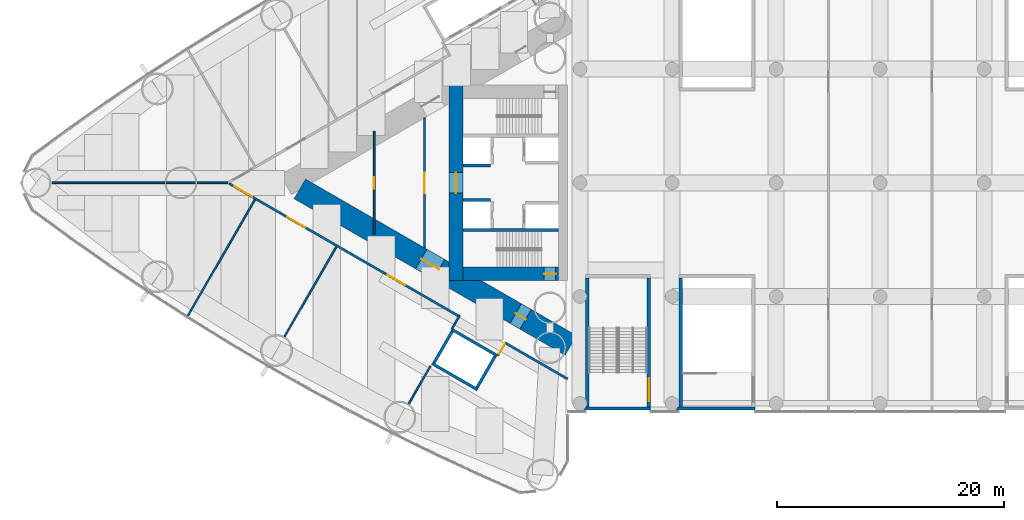
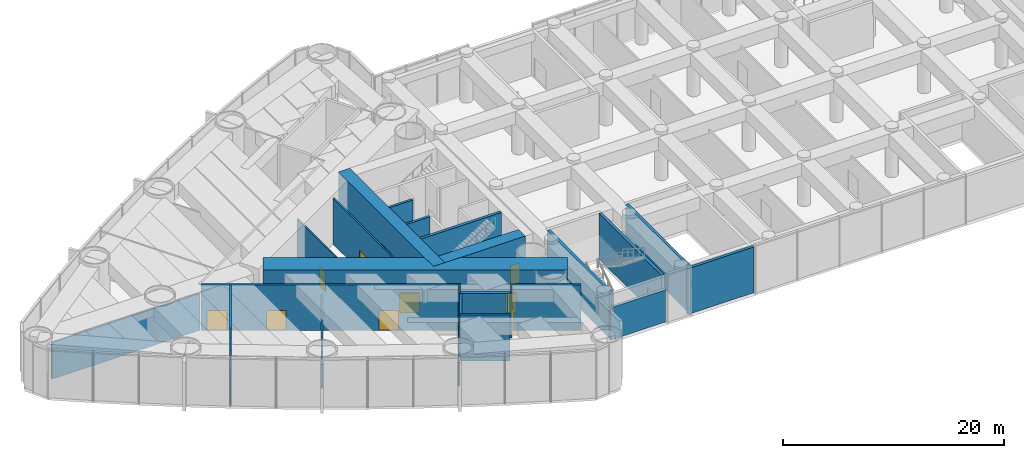
# One storey, part 14 of 20: 25 walls, 11 doors, 11 openings.
"""IFC4 building model written with IfcOpenShell, lengths in metres."""

from ifc_helpers import new_model, si_unit, direction, frame, frame_2d, origin, place, context, subcontext, project, spatial, rectangle, extrude, material, layer, layer_set, type_object, element, fill, save


model = new_model("IFC4")

# Units and contexts
model_context = context("Model", 3, precision=1e-05, world=origin(), true_north=direction((0.0, 1.0)))
body_context = subcontext(model_context, "Body", "Model", "MODEL_VIEW")
ifc_project = project(units=[si_unit("LENGTHUNIT", "METRE"), si_unit("AREAUNIT", "SQUARE_METRE"), si_unit("VOLUMEUNIT", "CUBIC_METRE"), si_unit("PLANEANGLEUNIT", "RADIAN"), si_unit("MASSUNIT", "GRAM", prefix="KILO")], contexts=[model_context])

# Site, building, storey
site_placement = place(None, origin())
site = spatial("IfcSite", under=ifc_project, at=site_placement, CompositionType="ELEMENT")
building_placement = place(site_placement, origin())
building = spatial("IfcBuilding", under=site, at=building_placement, Name="Lancet Gate Hotel", CompositionType="ELEMENT")
storey_placement = place(building_placement, frame((0.0, 0.0, 7.199951171875)))
storey = spatial("IfcBuildingStorey", under=building, at=storey_placement, Name="L01", CompositionType="ELEMENT", Elevation=7.199951171875)

# Wall, openings, doors
ifc_material_1 = material(Name="Concrete C70/85", Category="concrete")
ifc_layer_1 = layer(ifc_material_1, 2.0)
ifc_layer_set_1 = layer_set([ifc_layer_1], Name="Buttress wall 2000")
wall_type_1 = type_object("IfcWallType", Name="Buttress wall 2000", PredefinedType="SHEAR", material=ifc_layer_set_1)
wall_1_placement = place(storey_placement, frame((-27.199951171875, -14.300048828125, 0.0), z_axis=(0.0, 0.0, 1.0), x_axis=(-0.866024044937, 0.500002353585, 0.0)))
wall_1 = element("IfcWall", 1, at=wall_1_placement, inside=storey, type_object=wall_type_1, Name="T1 buttress wall N L01", PredefinedType="SHEAR", context=body_context, shape_type="SweptSolid", body=[
    extrude(rectangle(XDim=27.533447265625, YDim=2.0, at=frame_2d((13.7666015625, 0.0))), origin(), (0.0, 0.0, 1.0), 5.400146484375),
])
opening_1_placement = place(wall_1_placement, frame((4.60009765625, 0.0, 0.0)))
opening_1 = element("IfcOpeningElement", 2, at=opening_1_placement, cuts=wall_1, Name="Opening T1-L01-LN", PredefinedType="OPENING", context=body_context, shape_type="SweptSolid", body=[
    extrude(rectangle(XDim=1.0, YDim=2.199951171875, at=frame_2d((0.5, 1.10009765625))), frame((0.0, 1.010009765625, 0.0), z_axis=(0.0, -1.0, 0.0), x_axis=(1.0, 0.0, 0.0)), (0.0, 0.0, 1.0), 2.02001953125),
])
opening_2_placement = place(wall_1_placement, frame((13.39453125, 0.0, 0.0)))
opening_2 = element("IfcOpeningElement", 3, at=opening_2_placement, cuts=wall_1, Name="Opening T1-L01-LHN", PredefinedType="OPENING", context=body_context, shape_type="SweptSolid", body=[
    extrude(rectangle(XDim=1.800048828125, YDim=2.199951171875, at=frame_2d((0.89990234375, 1.10009765625))), frame((0.0, 1.010009765625, 0.0), z_axis=(0.0, -1.0, 0.0), x_axis=(1.0, 0.0, 0.0)), (0.0, 0.0, 1.0), 2.02001953125),
])
ifc_material_2 = material(Name="Timber door set", Category="wood")
door_type_1 = type_object("IfcDoorType", Name="Lobby double door 1800", OperationType="DOUBLE_DOOR_SINGLE_SWING", PredefinedType="DOOR", material=ifc_material_2)
door_1_placement = place(opening_2_placement, origin())
door_1 = element("IfcDoor", 4, at=door_1_placement, inside=storey, type_object=door_type_1, Name="T1-L01-LHN", OperationType="DOUBLE_DOOR_SINGLE_SWING", OverallHeight=2.199951171875, OverallWidth=1.800048828125, PredefinedType="DOOR", context=body_context, shape_type="SweptSolid", body=[
    extrude(rectangle(XDim=1.800048828125, YDim=2.199951171875, at=frame_2d((0.89990234375, 1.10009765625))), frame((0.0, 0.02490234375, 0.0), z_axis=(0.0, -1.0, 0.0), x_axis=(1.0, 0.0, 0.0)), (0.0, 0.0, 1.0), 0.050048828125),
])
fill(opening_2, door_1)
ifc_material_3 = material(Name="Timber door set", Category="wood")
door_type_2 = type_object("IfcDoorType", Name="Stair lobby door 1000", OperationType="SINGLE_SWING_LEFT", PredefinedType="DOOR", material=ifc_material_3)
door_2_placement = place(opening_1_placement, origin())
door_2 = element("IfcDoor", 5, at=door_2_placement, inside=storey, type_object=door_type_2, Name="T1-L01-LN", OperationType="SINGLE_SWING_LEFT", OverallHeight=2.199951171875, OverallWidth=1.0, PredefinedType="DOOR", context=body_context, shape_type="SweptSolid", body=[
    extrude(rectangle(XDim=1.0, YDim=2.199951171875, at=frame_2d((0.5, 1.10009765625))), frame((0.0, 0.02490234375, 0.0), z_axis=(0.0, -1.0, 0.0), x_axis=(1.0, 0.0, 0.0)), (0.0, 0.0, 1.0), 0.050048828125),
])
fill(opening_1, door_2)

# Wall, opening, door
ifc_material_4 = material(Name="Concrete C70/85", Category="concrete")
ifc_layer_2 = layer(ifc_material_4, 1.199951171875)
ifc_layer_set_2 = layer_set([ifc_layer_2], Name="Core wall 1200")
wall_type_2 = type_object("IfcWallType", Name="Core wall 1200", PredefinedType="SHEAR", material=ifc_layer_set_2)
wall_2_placement = place(storey_placement, frame((-37.300048828125, 8.60009765625, 0.0), z_axis=(0.0, 0.0, 1.0), x_axis=(0.0, -1.0, 0.0)))
wall_2 = element("IfcWall", 6, at=wall_2_placement, inside=storey, type_object=wall_type_2, Name="T1 core wall back L01", PredefinedType="SHEAR", context=body_context, shape_type="SweptSolid", body=[
    extrude(rectangle(XDim=17.2001953125, YDim=1.199951171875, at=frame_2d((8.60009765625, 0.0))), origin(), (0.0, 0.0, 1.0), 5.400146484375),
])
opening_3_placement = place(wall_2_placement, frame((7.699951171875, 0.0, 0.0)))
opening_3 = element("IfcOpeningElement", 7, at=opening_3_placement, cuts=wall_2, Name="Opening T1-L01-LL", PredefinedType="OPENING", context=body_context, shape_type="SweptSolid", body=[
    extrude(rectangle(XDim=1.800048828125, YDim=2.199951171875, at=frame_2d((0.89990234375, 1.10009765625))), frame((0.0, 0.60986328125, 0.0), z_axis=(0.0, -1.0, 0.0), x_axis=(1.0, 0.0, 0.0)), (0.0, 0.0, 1.0), 1.219970703125),
])
door_3_placement = place(opening_3_placement, origin())
door_3 = element("IfcDoor", 8, at=door_3_placement, inside=storey, type_object=door_type_1, Name="T1-L01-LL", OperationType="DOUBLE_DOOR_SINGLE_SWING", OverallHeight=2.199951171875, OverallWidth=1.800048828125, PredefinedType="DOOR", context=body_context, shape_type="SweptSolid", body=[
    extrude(rectangle(XDim=1.800048828125, YDim=2.199951171875, at=frame_2d((0.89990234375, 1.10009765625))), frame((0.0, 0.02490234375, 0.0), z_axis=(0.0, -1.0, 0.0), x_axis=(1.0, 0.0, 0.0)), (0.0, 0.0, 1.0), 0.050048828125),
])
fill(opening_3, door_3)

wall_3_placement = place(storey_placement, frame((-28.300048828125, -8.0, 0.0), z_axis=(0.0, 0.0, 1.0), x_axis=(-1.0, 0.0, 0.0)))
wall_3 = element("IfcWall", 9, at=wall_3_placement, inside=storey, type_object=wall_type_2, Name="T1 core wall side-N L01", PredefinedType="SHEAR", context=body_context, shape_type="SweptSolid", body=[
    extrude(rectangle(XDim=8.39990234375, YDim=1.199951171875, at=frame_2d((4.199951171875, 0.0))), origin(), (0.0, 0.0, 1.0), 5.400146484375),
])
opening_4_placement = place(wall_3_placement, frame((0.25, 0.0, 0.0)))
opening_4 = element("IfcOpeningElement", 10, at=opening_4_placement, cuts=wall_3, Name="Opening T1-L01-ST2", PredefinedType="OPENING", context=body_context, shape_type="SweptSolid", body=[
    extrude(rectangle(XDim=1.0, YDim=2.199951171875, at=frame_2d((0.5, 1.10009765625))), frame((0.0, 0.60986328125, 0.0), z_axis=(0.0, -1.0, 0.0), x_axis=(1.0, 0.0, 0.0)), (0.0, 0.0, 1.0), 1.219970703125),
])
ifc_material_5 = material(Name="Timber door set", Category="wood")
door_type_3 = type_object("IfcDoorType", Name="Stair door 1000", OperationType="SINGLE_SWING_RIGHT", PredefinedType="DOOR", material=ifc_material_5)
door_4_placement = place(opening_4_placement, origin())
door_4 = element("IfcDoor", 11, at=door_4_placement, inside=storey, type_object=door_type_3, Name="T1-L01-ST2", OperationType="SINGLE_SWING_RIGHT", OverallHeight=2.199951171875, OverallWidth=1.0, PredefinedType="DOOR", context=body_context, shape_type="SweptSolid", body=[
    extrude(rectangle(XDim=1.0, YDim=2.199951171875, at=frame_2d((0.5, 1.10009765625))), frame((0.0, 0.02490234375, 0.0), z_axis=(0.0, -1.0, 0.0), x_axis=(1.0, 0.0, 0.0)), (0.0, 0.0, 1.0), 0.050048828125),
])
fill(opening_4, door_4)

# Wall
ifc_material_6 = material(Name="Gypsum board partition")
ifc_layer_3 = layer(ifc_material_6, 0.199951171875)
ifc_layer_set_3 = layer_set([ifc_layer_3], Name="Corridor wall 200")
wall_type_3 = type_object("IfcWallType", Name="Corridor wall 200", PredefinedType="PARTITIONING", material=ifc_layer_set_3)
wall_4_placement = place(storey_placement, frame((-27.5, -17.244384765625, 0.0), z_axis=(0.0, 0.0, 1.0), x_axis=(-0.866027347857, 0.499996632752, 0.0)))
element("IfcWall", 12, at=wall_4_placement, inside=storey, type_object=wall_type_3, Name="T1 corridor wall 200 L01", PredefinedType="PARTITIONING", context=body_context, shape_type="SweptSolid", body=[
    extrude(rectangle(XDim=6.26904296875, YDim=0.199951171875, at=frame_2d((3.134521484375, 0.0))), origin(), (0.0, 0.0, 1.0), 5.050048828125),
])

# Wall, openings, doors
wall_5_placement = place(storey_placement, frame((-37.1201171875, -11.690185546875, 0.0), z_axis=(0.0, 0.0, 1.0), x_axis=(-0.866028803602, 0.499994111297, 0.0)))
wall_5 = element("IfcWall", 13, at=wall_5_placement, inside=storey, type_object=wall_type_3, Name="T1 corridor wall 200 L01", PredefinedType="PARTITIONING", context=body_context, shape_type="SweptSolid", body=[
    extrude(rectangle(XDim=23.260498046875, YDim=0.199951171875, at=frame_2d((11.63037109375, 0.0))), origin(), (0.0, 0.0, 1.0), 5.050048828125),
])
opening_5_placement = place(wall_5_placement, frame((20.909423828125, 0.0, 0.0)))
opening_5 = element("IfcOpeningElement", 14, at=opening_5_placement, cuts=wall_5, Name="Opening T1-L01-P105", PredefinedType="OPENING", context=body_context, shape_type="SweptSolid", body=[
    extrude(rectangle(XDim=1.800048828125, YDim=2.199951171875, at=frame_2d((0.89990234375, 1.10009765625))), frame((0.0, 0.10986328125, 0.0), z_axis=(0.0, -1.0, 0.0), x_axis=(1.0, 0.0, 0.0)), (0.0, 0.0, 1.0), 0.219970703125),
])
opening_6_placement = place(wall_5_placement, frame((15.54443359375, 0.0, 0.0)))
opening_6 = element("IfcOpeningElement", 15, at=opening_6_placement, cuts=wall_5, Name="Opening T1-L01-P106", PredefinedType="OPENING", context=body_context, shape_type="SweptSolid", body=[
    extrude(rectangle(XDim=1.800048828125, YDim=2.199951171875, at=frame_2d((0.89990234375, 1.10009765625))), frame((0.0, 0.10986328125, 0.0), z_axis=(0.0, -1.0, 0.0), x_axis=(1.0, 0.0, 0.0)), (0.0, 0.0, 1.0), 0.219970703125),
])
opening_7_placement = place(wall_5_placement, frame((5.364990234375, 0.0, 0.0)))
opening_7 = element("IfcOpeningElement", 16, at=opening_7_placement, cuts=wall_5, Name="Opening T1-L01-P107", PredefinedType="OPENING", context=body_context, shape_type="SweptSolid", body=[
    extrude(rectangle(XDim=1.800048828125, YDim=2.199951171875, at=frame_2d((0.89990234375, 1.10009765625))), frame((0.0, 0.10986328125, 0.0), z_axis=(0.0, -1.0, 0.0), x_axis=(1.0, 0.0, 0.0)), (0.0, 0.0, 1.0), 0.219970703125),
])
ifc_material_7 = material(Name="Timber door set", Category="wood")
door_type_4 = type_object("IfcDoorType", Name="Double door 1800", OperationType="DOUBLE_DOOR_SINGLE_SWING", PredefinedType="DOOR", material=ifc_material_7)
door_5_placement = place(opening_5_placement, origin())
door_5 = element("IfcDoor", 17, at=door_5_placement, inside=storey, type_object=door_type_4, Name="T1-L01-P105", OperationType="DOUBLE_DOOR_SINGLE_SWING", OverallHeight=2.199951171875, OverallWidth=1.800048828125, PredefinedType="DOOR", context=body_context, shape_type="SweptSolid", body=[
    extrude(rectangle(XDim=1.800048828125, YDim=2.199951171875, at=frame_2d((0.89990234375, 1.10009765625))), frame((0.0, 0.02490234375, 0.0), z_axis=(0.0, -1.0, 0.0), x_axis=(1.0, 0.0, 0.0)), (0.0, 0.0, 1.0), 0.050048828125),
])
fill(opening_5, door_5)
door_6_placement = place(opening_6_placement, origin())
door_6 = element("IfcDoor", 18, at=door_6_placement, inside=storey, type_object=door_type_4, Name="T1-L01-P106", OperationType="DOUBLE_DOOR_SINGLE_SWING", OverallHeight=2.199951171875, OverallWidth=1.800048828125, PredefinedType="DOOR", context=body_context, shape_type="SweptSolid", body=[
    extrude(rectangle(XDim=1.800048828125, YDim=2.199951171875, at=frame_2d((0.89990234375, 1.10009765625))), frame((0.0, 0.02490234375, 0.0), z_axis=(0.0, -1.0, 0.0), x_axis=(1.0, 0.0, 0.0)), (0.0, 0.0, 1.0), 0.050048828125),
])
fill(opening_6, door_6)
door_7_placement = place(opening_7_placement, origin())
door_7 = element("IfcDoor", 19, at=door_7_placement, inside=storey, type_object=door_type_4, Name="T1-L01-P107", OperationType="DOUBLE_DOOR_SINGLE_SWING", OverallHeight=2.199951171875, OverallWidth=1.800048828125, PredefinedType="DOOR", context=body_context, shape_type="SweptSolid", body=[
    extrude(rectangle(XDim=1.800048828125, YDim=2.199951171875, at=frame_2d((0.89990234375, 1.10009765625))), frame((0.0, 0.02490234375, 0.0), z_axis=(0.0, -1.0, 0.0), x_axis=(1.0, 0.0, 0.0)), (0.0, 0.0, 1.0), 0.050048828125),
])
fill(opening_7, door_7)

# Walls
ifc_material_8 = material(Name="Gypsum board partition")
ifc_layer_4 = layer(ifc_material_8, 0.25)
ifc_layer_set_4 = layer_set([ifc_layer_4], Name="Lift shaft partition 250")
wall_type_4 = type_object("IfcWallType", Name="Lift shaft partition 250", PredefinedType="PARTITIONING", material=ifc_layer_set_4)
wall_6_placement = place(storey_placement, frame((-33.695556640625, -15.197265625, 0.0), z_axis=(0.0, 0.0, 1.0), x_axis=(-0.865976953817, 0.500083908417, 0.0)))
element("IfcWall", 20, at=wall_6_placement, inside=storey, type_object=wall_type_4, Name="T1 lift shaft wall EX L01", PredefinedType="PARTITIONING", context=body_context, shape_type="SweptSolid", body=[
    extrude(rectangle(XDim=4.599365234375, YDim=0.25, at=frame_2d((2.2998046875, 0.0))), origin(), (0.0, 0.0, 1.0), 5.050048828125),
])
wall_7_placement = place(storey_placement, frame((-35.42041015625, -18.185791015625, 0.0), z_axis=(0.0, 0.0, 1.0), x_axis=(-0.865990227814, 0.50006092162, 0.0)))
element("IfcWall", 21, at=wall_7_placement, inside=storey, type_object=wall_type_4, Name="T1 lift shaft wall EX L01", PredefinedType="PARTITIONING", context=body_context, shape_type="SweptSolid", body=[
    extrude(rectangle(XDim=4.599609375, YDim=0.25, at=frame_2d((2.2998046875, 0.0))), origin(), (0.0, 0.0, 1.0), 5.050048828125),
])
wall_8_placement = place(storey_placement, frame((-33.8662109375, -15.242919921875, 0.0), z_axis=(0.0, 0.0, 1.0), x_axis=(-0.499929347863, -0.866066190972, 0.0)))
element("IfcWall", 22, at=wall_8_placement, inside=storey, type_object=wall_type_4, Name="T1 lift shaft wall EX L01", PredefinedType="PARTITIONING", context=body_context, shape_type="SweptSolid", body=[
    extrude(rectangle(XDim=3.20068359375, YDim=0.25, at=frame_2d((1.600341796875, 0.0))), origin(), (0.0, 0.0, 1.0), 5.050048828125),
])
wall_9_placement = place(storey_placement, frame((-37.6328125, -13.068115234375, 0.0), z_axis=(0.0, 0.0, 1.0), x_axis=(-0.499872130319, -0.866099216793, 0.0)))
element("IfcWall", 23, at=wall_9_placement, inside=storey, type_object=wall_type_4, Name="T1 lift shaft wall EX L01", PredefinedType="PARTITIONING", context=body_context, shape_type="SweptSolid", body=[
    extrude(rectangle(XDim=3.200439453125, YDim=0.25, at=frame_2d((1.60009765625, 0.0))), origin(), (0.0, 0.0, 1.0), 5.050048828125),
])
ifc_material_9 = material(Name="Concrete C50/60", Category="concrete")
ifc_layer_5 = layer(ifc_material_9, 0.25)
ifc_layer_set_5 = layer_set([ifc_layer_5], Name="Lift shaft wall 250")
wall_type_5 = type_object("IfcWallType", Name="Lift shaft wall 250", PredefinedType="SHEAR", material=ifc_layer_set_5)
for number, where, z_axis, x_axis, name in (
    (24, (-34.25, 1.52490234375, 0.0), (0.0, 0.0, 1.0), (-1.0, 0.0, 0.0), "T1 core wall pass2-S L01"),
    (25, (-34.25, -1.52490234375, 0.0), (0.0, 0.0, 1.0), (-1.0, 0.0, 0.0), "T1 core wall pass2-N L01"),
):
    element("IfcWall", number, at=place(storey_placement, frame(where, z_axis=z_axis, x_axis=x_axis)), inside=storey, type_object=wall_type_5, Name=name, PredefinedType="SHEAR", context=body_context, shape_type="SweptSolid", body=[
        extrude(rectangle(XDim=2.449951171875, YDim=0.25, at=frame_2d((1.22509765625, 0.0))), origin(), (0.0, 0.0, 1.0), 5.400146484375),
    ])
ifc_material_10 = material(Name="Gypsum board partition")
ifc_layer_6 = layer(ifc_material_10, 0.14990234375)
ifc_layer_set_6 = layer_set([ifc_layer_6], Name="Party wall 150")
wall_type_6 = type_object("IfcWallType", Name="Party wall 150", PredefinedType="PARTITIONING", material=ifc_layer_set_6)
wall_10_placement = place(storey_placement, frame((-47.826904296875, -5.624267578125, 0.0), z_axis=(0.0, 0.0, 1.0), x_axis=(-0.499995404498, -0.866028056982, 0.0)))
element("IfcWall", 26, at=wall_10_placement, inside=storey, type_object=wall_type_6, Name="T1 party wall 150 L01", PredefinedType="PARTITIONING", context=body_context, shape_type="SweptSolid", body=[
    extrude(rectangle(XDim=9.1103515625, YDim=0.14990234375, at=frame_2d((4.55517578125, 0.0))), origin(), (0.0, 0.0, 1.0), 4.050048828125),
])
wall_11_placement = place(storey_placement, frame((-54.99609375, -1.485107421875, 0.0), z_axis=(0.0, 0.0, 1.0), x_axis=(-0.500002871521, -0.866023745905, 0.0)))
element("IfcWall", 27, at=wall_11_placement, inside=storey, type_object=wall_type_6, Name="T1 party wall 150 L01", PredefinedType="PARTITIONING", context=body_context, shape_type="SweptSolid", body=[
    extrude(rectangle(XDim=11.7568359375, YDim=0.14990234375, at=frame_2d((5.87841796875, 0.0))), origin(), (0.0, 0.0, 1.0), 5.050048828125),
])
wall_12_placement = place(storey_placement, frame((-57.3681640625, 0.0, 0.0), z_axis=(0.0, 0.0, 1.0), x_axis=(-1.0, 0.0, 0.0)))
element("IfcWall", 28, at=wall_12_placement, inside=storey, type_object=wall_type_6, Name="T1 party wall 150 L01", PredefinedType="PARTITIONING", context=body_context, shape_type="SweptSolid", body=[
    extrude(rectangle(XDim=15.447021484375, YDim=0.14990234375, at=frame_2d((7.7236328125, 0.0))), origin(), (0.0, 0.0, 1.0), 4.050048828125),
])
wall_13_placement = place(storey_placement, frame((-39.55078125, -16.118408203125, 0.0), z_axis=(0.0, 0.0, 1.0), x_axis=(-0.499986503906, -0.866033195618, 0.0)))
element("IfcWall", 29, at=wall_13_placement, inside=storey, type_object=wall_type_6, Name="T1 party wall 150 L01", PredefinedType="PARTITIONING", context=body_context, shape_type="SweptSolid", body=[
    extrude(rectangle(XDim=3.81494140625, YDim=0.14990234375, at=frame_2d((1.907470703125, 0.0))), origin(), (0.0, 0.0, 1.0), 5.050048828125),
])
ifc_material_11 = material(Name="Dense concrete blockwork", Category="masonry")
ifc_layer_7 = layer(ifc_material_11, 0.300048828125)
ifc_layer_set_7 = layer_set([ifc_layer_7], Name="Podium stair enclosure wall 300")
wall_type_7 = type_object("IfcWallType", Name="Podium stair enclosure wall 300", PredefinedType="SOLIDWALL", material=ifc_layer_set_7)
wall_14_placement = place(storey_placement, frame((-11.0, -19.85009765625, 0.0), z_axis=(0.0, 0.0, 1.0), x_axis=(-1.0, 0.0, 0.0)))
element("IfcWall", 30, at=wall_14_placement, inside=storey, type_object=wall_type_7, Name="Podium stair PS3 encl wall outer L01", PredefinedType="SOLIDWALL", context=body_context, shape_type="SweptSolid", body=[
    extrude(rectangle(XDim=6.903076171875, YDim=0.300048828125, at=frame_2d((3.45166015625, 0.0))), origin(), (0.0, 0.0, 1.0), 5.050048828125),
])
wall_15_placement = place(storey_placement, frame((-17.550048828125, -8.3798828125, 0.0), z_axis=(0.0, 0.0, 1.0), x_axis=(0.0, -1.0, 0.0)))
element("IfcWall", 31, at=wall_15_placement, inside=storey, type_object=wall_type_7, Name="Podium stair PS3 encl wall far L01", PredefinedType="SOLIDWALL", context=body_context, shape_type="SweptSolid", body=[
    extrude(rectangle(XDim=11.320068359375, YDim=0.300048828125, at=frame_2d((5.66015625, 0.0))), origin(), (0.0, 0.0, 1.0), 5.050048828125),
])
wall_16_placement = place(storey_placement, frame((-20.199951171875, -19.85009765625, 0.0), z_axis=(0.0, 0.0, 1.0), x_axis=(-1.0, 0.0, 0.0)))
element("IfcWall", 32, at=wall_16_placement, inside=storey, type_object=wall_type_7, Name="Podium stair PS6 encl wall outer L01", PredefinedType="SOLIDWALL", context=body_context, shape_type="SweptSolid", body=[
    extrude(rectangle(XDim=5.80322265625, YDim=0.300048828125, at=frame_2d((2.901611328125, 0.0))), origin(), (0.0, 0.0, 1.0), 3.550048828125),
])

# Wall, opening, door
wall_17_placement = place(storey_placement, frame((-20.35009765625, -8.3798828125, 0.0), z_axis=(0.0, 0.0, 1.0), x_axis=(0.0, -1.0, 0.0)))
wall_17 = element("IfcWall", 33, at=wall_17_placement, inside=storey, type_object=wall_type_7, Name="Podium stair PS6 encl wall near L01", PredefinedType="SOLIDWALL", context=body_context, shape_type="SweptSolid", body=[
    extrude(rectangle(XDim=11.320068359375, YDim=0.300048828125, at=frame_2d((5.66015625, 0.0))), origin(), (0.0, 0.0, 1.0), 5.050048828125),
])
opening_8_placement = place(wall_17_placement, frame((8.820068359375, 0.0, 0.0)))
opening_8 = element("IfcOpeningElement", 34, at=opening_8_placement, cuts=wall_17, Name="Opening POD-L01-PS6", PredefinedType="OPENING", context=body_context, shape_type="SweptSolid", body=[
    extrude(rectangle(XDim=2.0, YDim=2.199951171875, at=frame_2d((1.0, 1.10009765625))), frame((0.0, 0.159912109375, 0.0), z_axis=(0.0, -1.0, 0.0), x_axis=(1.0, 0.0, 0.0)), (0.0, 0.0, 1.0), 0.320068359375),
])
ifc_material_12 = material(Name="Timber door set", Category="wood")
door_type_5 = type_object("IfcDoorType", Name="Stair double door 2000", OperationType="DOUBLE_DOOR_SINGLE_SWING", PredefinedType="DOOR", material=ifc_material_12)
door_8_placement = place(opening_8_placement, origin())
door_8 = element("IfcDoor", 35, at=door_8_placement, inside=storey, type_object=door_type_5, Name="POD-L01-PS6", OperationType="DOUBLE_DOOR_SINGLE_SWING", OverallHeight=2.199951171875, OverallWidth=2.0, PredefinedType="DOOR", context=body_context, shape_type="SweptSolid", body=[
    extrude(rectangle(XDim=2.0, YDim=2.199951171875, at=frame_2d((1.0, 1.10009765625))), frame((0.0, 0.02490234375, 0.0), z_axis=(0.0, -1.0, 0.0), x_axis=(1.0, 0.0, 0.0)), (0.0, 0.0, 1.0), 0.050048828125),
])
fill(opening_8, door_8)

# Walls
wall_18_placement = place(storey_placement, frame((-25.75, -8.3798828125, 0.0), z_axis=(0.0, 0.0, 1.0), x_axis=(0.0, -1.0, 0.0)))
element("IfcWall", 36, at=wall_18_placement, inside=storey, type_object=wall_type_7, Name="Podium stair PS6 encl wall far L01", PredefinedType="SOLIDWALL", context=body_context, shape_type="SweptSolid", body=[
    extrude(rectangle(XDim=11.320068359375, YDim=0.300048828125, at=frame_2d((5.66015625, 0.0))), origin(), (0.0, 0.0, 1.0), 5.050048828125),
])
ifc_material_13 = material(Name="Gypsum board partition")
ifc_layer_8 = layer(ifc_material_13, 0.14990234375)
ifc_layer_set_8 = layer_set([ifc_layer_8], Name="Service room wall 150")
wall_type_8 = type_object("IfcWallType", Name="Service room wall 150", PredefinedType="PARTITIONING", material=ifc_layer_set_8)
wall_19_placement = place(storey_placement, frame((-36.9755859375, -11.658203125, 0.0), z_axis=(0.0, 0.0, 1.0), x_axis=(-0.50008355685, -0.86597715684, 0.0)))
element("IfcWall", 37, at=wall_19_placement, inside=storey, type_object=wall_type_8, Name="T1 service room wall 150 L01", PredefinedType="PARTITIONING", context=body_context, shape_type="SweptSolid", body=[
    extrude(rectangle(XDim=1.404541015625, YDim=0.14990234375, at=frame_2d((0.7021484375, 0.0))), origin(), (0.0, 0.0, 1.0), 5.050048828125),
])

# Wall, opening, door
wall_20_placement = place(storey_placement, frame((-33.62060546875, -15.217529296875, 0.0), z_axis=(0.0, 0.0, 1.0), x_axis=(0.518424923641, 0.855123148177, 0.0)))
wall_20 = element("IfcWall", 38, at=wall_20_placement, inside=storey, type_object=wall_type_8, Name="T1 service room wall 150 L01", PredefinedType="PARTITIONING", context=body_context, shape_type="SweptSolid", body=[
    extrude(rectangle(XDim=1.4052734375, YDim=0.14990234375, at=frame_2d((0.70263671875, 0.0))), origin(), (0.0, 0.0, 1.0), 5.050048828125),
])
opening_9_placement = place(wall_20_placement, frame((0.20263671875, 0.0, 0.0)))
opening_9 = element("IfcOpeningElement", 39, at=opening_9_placement, cuts=wall_20, Name="Opening T1-L01-P108", PredefinedType="OPENING", context=body_context, shape_type="SweptSolid", body=[
    extrude(rectangle(XDim=1.0, YDim=2.199951171875, at=frame_2d((0.5, 1.10009765625))), frame((0.0, 0.0849609375, 0.0), z_axis=(0.0, -1.0, 0.0), x_axis=(1.0, 0.0, 0.0)), (0.0, 0.0, 1.0), 0.169921875),
])
ifc_material_14 = material(Name="Timber door set", Category="wood")
door_type_6 = type_object("IfcDoorType", Name="Service door 1000", OperationType="SINGLE_SWING_LEFT", PredefinedType="DOOR", material=ifc_material_14)
door_9_placement = place(opening_9_placement, origin())
door_9 = element("IfcDoor", 40, at=door_9_placement, inside=storey, type_object=door_type_6, Name="T1-L01-P108", OperationType="SINGLE_SWING_LEFT", OverallHeight=2.199951171875, OverallWidth=1.0, PredefinedType="DOOR", context=body_context, shape_type="SweptSolid", body=[
    extrude(rectangle(XDim=1.0, YDim=2.199951171875, at=frame_2d((0.5, 1.10009765625))), frame((0.0, 0.02490234375, 0.0), z_axis=(0.0, -1.0, 0.0), x_axis=(1.0, 0.0, 0.0)), (0.0, 0.0, 1.0), 0.050048828125),
])
fill(opening_9, door_9)

wall_21_placement = place(storey_placement, frame((-40.074951171875, 5.7119140625, 0.0), z_axis=(0.0, 0.0, 1.0), x_axis=(0.0, -1.0, 0.0)))
wall_21 = element("IfcWall", 41, at=wall_21_placement, inside=storey, type_object=wall_type_8, Name="T1 service room wall 150 L01", PredefinedType="PARTITIONING", context=body_context, shape_type="SweptSolid", body=[
    extrude(rectangle(XDim=11.423828125, YDim=0.14990234375, at=frame_2d((5.7119140625, 0.0))), origin(), (0.0, 0.0, 1.0), 5.050048828125),
])
opening_10_placement = place(wall_21_placement, frame((4.811767578125, 0.0, 0.0)))
opening_10 = element("IfcOpeningElement", 42, at=opening_10_placement, cuts=wall_21, Name="Opening T1-L01-LH", PredefinedType="OPENING", context=body_context, shape_type="SweptSolid", body=[
    extrude(rectangle(XDim=1.800048828125, YDim=2.199951171875, at=frame_2d((0.89990234375, 1.10009765625))), frame((0.0, 0.0849609375, 0.0), z_axis=(0.0, -1.0, 0.0), x_axis=(1.0, 0.0, 0.0)), (0.0, 0.0, 1.0), 0.169921875),
])
door_10_placement = place(opening_10_placement, origin())
door_10 = element("IfcDoor", 43, at=door_10_placement, inside=storey, type_object=door_type_1, Name="T1-L01-LH", OperationType="DOUBLE_DOOR_SINGLE_SWING", OverallHeight=2.199951171875, OverallWidth=1.800048828125, PredefinedType="DOOR", context=body_context, shape_type="SweptSolid", body=[
    extrude(rectangle(XDim=1.800048828125, YDim=2.199951171875, at=frame_2d((0.89990234375, 1.10009765625))), frame((0.0, 0.02490234375, 0.0), z_axis=(0.0, -1.0, 0.0), x_axis=(1.0, 0.0, 0.0)), (0.0, 0.0, 1.0), 0.050048828125),
])
fill(opening_10, door_10)

wall_22_placement = place(storey_placement, frame((-44.5, 4.542724609375, 0.0), z_axis=(0.0, 0.0, 1.0), x_axis=(0.0, -1.0, 0.0)))
wall_22 = element("IfcWall", 44, at=wall_22_placement, inside=storey, type_object=wall_type_8, Name="T1 service room wall 150 L01", PredefinedType="PARTITIONING", context=body_context, shape_type="SweptSolid", body=[
    extrude(rectangle(XDim=9.08544921875, YDim=0.14990234375, at=frame_2d((4.542724609375, 0.0))), origin(), (0.0, 0.0, 1.0), 5.050048828125),
])
opening_11_placement = place(wall_22_placement, frame((4.042724609375, 0.0, 0.0)))
opening_11 = element("IfcOpeningElement", 45, at=opening_11_placement, cuts=wall_22, Name="Opening T1-L01-SV", PredefinedType="OPENING", context=body_context, shape_type="SweptSolid", body=[
    extrude(rectangle(XDim=1.0, YDim=2.199951171875, at=frame_2d((0.5, 1.10009765625))), frame((0.0, 0.0849609375, 0.0), z_axis=(0.0, -1.0, 0.0), x_axis=(1.0, 0.0, 0.0)), (0.0, 0.0, 1.0), 0.169921875),
])
door_11_placement = place(opening_11_placement, origin())
door_11 = element("IfcDoor", 46, at=door_11_placement, inside=storey, type_object=door_type_6, Name="T1-L01-SV", OperationType="SINGLE_SWING_LEFT", OverallHeight=2.199951171875, OverallWidth=1.0, PredefinedType="DOOR", context=body_context, shape_type="SweptSolid", body=[
    extrude(rectangle(XDim=1.0, YDim=2.199951171875, at=frame_2d((0.5, 1.10009765625))), frame((0.0, 0.02490234375, 0.0), z_axis=(0.0, -1.0, 0.0), x_axis=(1.0, 0.0, 0.0)), (0.0, 0.0, 1.0), 0.050048828125),
])
fill(opening_11, door_11)

# Wall
ifc_material_15 = material(Name="Concrete C50/60", Category="concrete")
ifc_layer_9 = layer(ifc_material_15, 0.300048828125)
ifc_layer_set_9 = layer_set([ifc_layer_9], Name="Stair enclosure wall 300")
wall_type_9 = type_object("IfcWallType", Name="Stair enclosure wall 300", PredefinedType="SHEAR", material=ifc_layer_set_9)
wall_23_placement = place(storey_placement, frame((-28.300048828125, -4.14990234375, 0.0), z_axis=(0.0, 0.0, 1.0), x_axis=(-1.0, 0.0, 0.0)))
element("IfcWall", 47, at=wall_23_placement, inside=storey, type_object=wall_type_9, Name="T1 core wall stair-N L01", PredefinedType="SHEAR", context=body_context, shape_type="SweptSolid", body=[
    extrude(rectangle(XDim=8.39990234375, YDim=0.300048828125, at=frame_2d((4.199951171875, 0.0))), origin(), (0.0, 0.0, 1.0), 5.400146484375),
])

save(model, "model.ifc")
